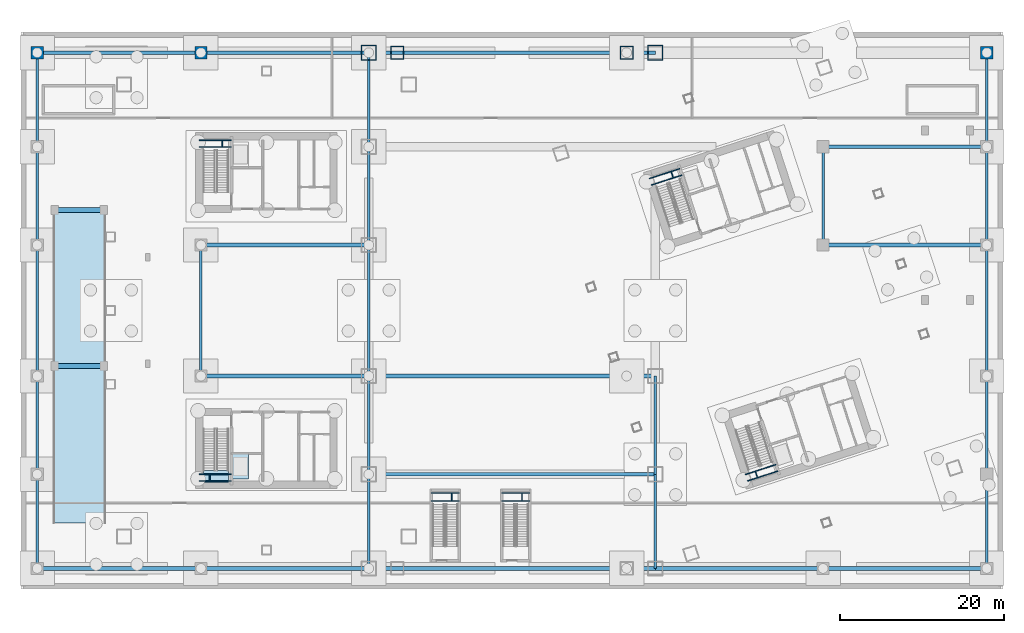
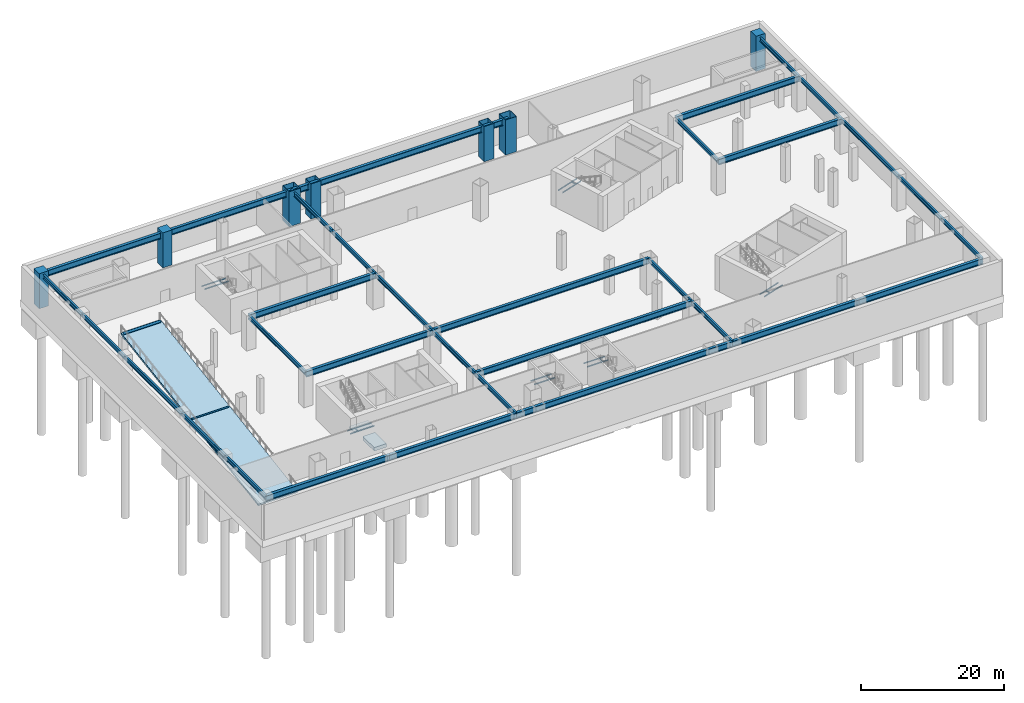
# One storey, part 4 of 20: 53 beams, 7 columns, 3 slabs, 1 element without a shape of its own.
"""IFC4 building model written with IfcOpenShell, lengths in metres."""

from ifc_helpers import new_model, si_unit, direction, frame, origin, origin_2d, place, context, subcontext, project, spatial, polyline, rectangle, hollow_rectangle, i_section, outline, extrude, material, layer, layer_set, material_profile, profile_set, type_object, element, aggregate, save


model = new_model("IFC4")

# Units and contexts
model_context = context("Model", 3, precision=1e-05, world=origin(), true_north=direction((0.0, 1.0)))
body_context = subcontext(model_context, "Body", "Model", "MODEL_VIEW")
ifc_project = project(units=[si_unit("LENGTHUNIT", "METRE"), si_unit("AREAUNIT", "SQUARE_METRE"), si_unit("VOLUMEUNIT", "CUBIC_METRE"), si_unit("PLANEANGLEUNIT", "RADIAN"), si_unit("MASSUNIT", "GRAM", prefix="KILO")], contexts=[model_context])

# Site, building, storey
site_placement = place(None, origin())
site = spatial("IfcSite", under=ifc_project, at=site_placement, CompositionType="ELEMENT")
building_placement = place(site_placement, origin())
building = spatial("IfcBuilding", under=site, at=building_placement, Name="Qiaolan Cultural Towers", CompositionType="ELEMENT")
storey_placement = place(building_placement, frame((0.0, 0.0, -12.0)))
storey = spatial("IfcBuildingStorey", under=building, at=storey_placement, Name="B2", CompositionType="ELEMENT", Elevation=-12.0)

# Columns
ifc_material_1 = material(Name="Steel Q420GJB", Category="steel")
ifc_material_profile_1 = material_profile(ifc_material_1, hollow_rectangle(XDim=1.60009765625, YDim=1.60009765625, WallThickness=0.054931640625, at=origin_2d()), Name="BOX1600x1600x55")
ifc_profile_set_1 = profile_set([ifc_material_profile_1], Name="Steel Q420GJB")
column_type_1 = type_object("IfcColumnType", Name="COL-BOX1600x1600x55", PredefinedType="COLUMN", material=ifc_profile_set_1)
for number, where, z_axis, x_axis, name in (
    (1, (46.0, 65.5, 0.0), (0.0, 0.0, 1.0), (1.0, 0.0, 0.0), "B2 Podium Column PC-MID-46-65"),
    (2, (74.0, 65.5, 0.0), (0.0, 0.0, 1.0), (1.0, 0.0, 0.0), "B2 Podium Column PC-MID-74-65"),
):
    element("IfcColumn", number, at=place(storey_placement, frame(where, z_axis=z_axis, x_axis=x_axis)), inside=storey, type_object=column_type_1, Name=name, PredefinedType="COLUMN", context=body_context, shape_type="SweptSolid", body=[
        extrude(hollow_rectangle(XDim=1.60009765625, YDim=1.60009765625, WallThickness=0.054931640625, at=origin_2d()), origin(), (0.0, 0.0, 1.0), 6.0009765625),
    ])
ifc_material_2 = material(Name="Steel Q420GJB", Category="steel")
ifc_material_profile_2 = material_profile(ifc_material_2, hollow_rectangle(XDim=1.800048828125, YDim=1.800048828125, WallThickness=0.06005859375, at=origin_2d()), Name="BOX1800x1800x60")
ifc_profile_set_2 = profile_set([ifc_material_profile_2], Name="Steel Q420GJB")
column_type_2 = type_object("IfcColumnType", Name="COL-BOX1800x1800x60", PredefinedType="COLUMN", material=ifc_profile_set_2)
for number, where, z_axis, x_axis, name in (
    (3, (42.5, 65.5, 0.0), (0.0, 0.0, 1.0), (1.0, 0.0, 0.0), "B2 Podium Column PC-42-65"),
    (4, (77.5, 65.5, 0.0), (0.0, 0.0, 1.0), (1.0, 0.0, 0.0), "B2 Podium Column PC-77-65"),
):
    element("IfcColumn", number, at=place(storey_placement, frame(where, z_axis=z_axis, x_axis=x_axis)), inside=storey, type_object=column_type_2, Name=name, PredefinedType="COLUMN", context=body_context, shape_type="SweptSolid", body=[
        extrude(hollow_rectangle(XDim=1.800048828125, YDim=1.800048828125, WallThickness=0.06005859375, at=origin_2d()), origin(), (0.0, 0.0, 1.0), 6.0009765625),
    ])
ifc_material_3 = material(Name="Concrete C60", Category="concrete")
ifc_material_profile_3 = material_profile(ifc_material_3, rectangle(XDim=1.5, YDim=1.5, at=origin_2d()), Name="RC1500x1500")
ifc_profile_set_3 = profile_set([ifc_material_profile_3], Name="Concrete C60")
column_type_3 = type_object("IfcColumnType", Name="COL-RC1500x1500", PredefinedType="COLUMN", material=ifc_profile_set_3)
for number, where, z_axis, x_axis, name in (
    (5, (2.0, 65.5, 0.0), (0.0, 0.0, 1.0), (1.0, 0.0, 0.0), "B2 Podium Column PC-2-65"),
    (6, (22.0, 65.5, 0.0), (0.0, 0.0, 1.0), (1.0, 0.0, 0.0), "B2 Podium Column PC-22-65"),
    (7, (118.0, 65.5, 0.0), (0.0, 0.0, 1.0), (1.0, 0.0, 0.0), "B2 Podium Column PC-118-65"),
):
    element("IfcColumn", number, at=place(storey_placement, frame(where, z_axis=z_axis, x_axis=x_axis)), inside=storey, type_object=column_type_3, Name=name, PredefinedType="COLUMN", context=body_context, shape_type="SweptSolid", body=[
        extrude(rectangle(XDim=1.5, YDim=1.5, at=origin_2d()), origin(), (0.0, 0.0, 1.0), 6.0009765625),
    ])

# Beams
ifc_material_4 = material(Name="Steel Q390GJB", Category="steel")
ifc_material_profile_4 = material_profile(ifc_material_4, i_section(OverallWidth=0.449951171875, OverallDepth=1.0, WebThickness=0.02392578125, FlangeThickness=0.0400390625, at=origin_2d()), Name="BH1000x450x24x40")
ifc_profile_set_4 = profile_set([ifc_material_profile_4], Name="Steel Q390GJB")
beam_type_1 = type_object("IfcBeamType", Name="BM-BH1000x450x24x40", PredefinedType="BEAM", material=ifc_profile_set_4)
beam_1_placement = place(storey_placement, frame((2.0, 2.5, 5.14990234375), z_axis=(1.0, 0.0, 0.0), x_axis=(0.0, 1.0, 0.0)))
element("IfcBeam", 8, at=beam_1_placement, inside=storey, type_object=beam_type_1, Name="B2 Podium Primary Girder Y=2.5", PredefinedType="BEAM", context=body_context, shape_type="SweptSolid", body=[
    extrude(i_section(OverallWidth=0.449951171875, OverallDepth=1.0, WebThickness=0.02392578125, FlangeThickness=0.0400390625, at=origin_2d()), origin(), (0.0, 0.0, 1.0), 20.0),
])
beam_2_placement = place(storey_placement, frame((22.0, 2.5, 5.14990234375), z_axis=(1.0, 0.0, 0.0), x_axis=(0.0, 1.0, 0.0)))
element("IfcBeam", 9, at=beam_2_placement, inside=storey, type_object=beam_type_1, Name="B2 Podium Primary Girder Y=2.5", PredefinedType="BEAM", context=body_context, shape_type="SweptSolid", body=[
    extrude(i_section(OverallWidth=0.449951171875, OverallDepth=1.0, WebThickness=0.02392578125, FlangeThickness=0.0400390625, at=origin_2d()), origin(), (0.0, 0.0, 1.0), 20.5),
])
beam_3_placement = place(storey_placement, frame((42.5, 2.5, 5.14990234375), z_axis=(1.0, 0.0, 0.0), x_axis=(0.0, 1.0, 0.0)))
element("IfcBeam", 10, at=beam_3_placement, inside=storey, type_object=beam_type_1, Name="B2 Podium Primary Girder Y=2.5", PredefinedType="BEAM", context=body_context, shape_type="SweptSolid", body=[
    extrude(i_section(OverallWidth=0.449951171875, OverallDepth=1.0, WebThickness=0.02392578125, FlangeThickness=0.0400390625, at=origin_2d()), origin(), (0.0, 0.0, 1.0), 35.0),
])
beam_4_placement = place(storey_placement, frame((77.5, 2.5, 5.14990234375), z_axis=(1.0, 0.0, 0.0), x_axis=(0.0, 1.0, 0.0)))
element("IfcBeam", 11, at=beam_4_placement, inside=storey, type_object=beam_type_1, Name="B2 Podium Primary Girder Y=2.5", PredefinedType="BEAM", context=body_context, shape_type="SweptSolid", body=[
    extrude(i_section(OverallWidth=0.449951171875, OverallDepth=1.0, WebThickness=0.02392578125, FlangeThickness=0.0400390625, at=origin_2d()), origin(), (0.0, 0.0, 1.0), 20.5),
])
beam_5_placement = place(storey_placement, frame((98.0, 2.5, 5.14990234375), z_axis=(1.0, 0.0, 0.0), x_axis=(0.0, 1.0, 0.0)))
element("IfcBeam", 12, at=beam_5_placement, inside=storey, type_object=beam_type_1, Name="B2 Podium Primary Girder Y=2.5", PredefinedType="BEAM", context=body_context, shape_type="SweptSolid", body=[
    extrude(i_section(OverallWidth=0.449951171875, OverallDepth=1.0, WebThickness=0.02392578125, FlangeThickness=0.0400390625, at=origin_2d()), origin(), (0.0, 0.0, 1.0), 20.0),
])
beam_6_placement = place(storey_placement, frame((42.5, 14.0, 5.14990234375), z_axis=(1.0, 0.0, 0.0), x_axis=(0.0, 1.0, 0.0)))
element("IfcBeam", 13, at=beam_6_placement, inside=storey, type_object=beam_type_1, Name="B2 Podium Primary Girder Y=14.0", PredefinedType="BEAM", context=body_context, shape_type="SweptSolid", body=[
    extrude(i_section(OverallWidth=0.449951171875, OverallDepth=1.0, WebThickness=0.02392578125, FlangeThickness=0.0400390625, at=origin_2d()), origin(), (0.0, 0.0, 1.0), 35.0),
])
beam_7_placement = place(storey_placement, frame((22.0, 26.0, 5.14990234375), z_axis=(1.0, 0.0, 0.0), x_axis=(0.0, 1.0, 0.0)))
element("IfcBeam", 14, at=beam_7_placement, inside=storey, type_object=beam_type_1, Name="B2 Podium Primary Girder Y=26.0", PredefinedType="BEAM", context=body_context, shape_type="SweptSolid", body=[
    extrude(i_section(OverallWidth=0.449951171875, OverallDepth=1.0, WebThickness=0.02392578125, FlangeThickness=0.0400390625, at=origin_2d()), origin(), (0.0, 0.0, 1.0), 20.5),
])
beam_8_placement = place(storey_placement, frame((42.5, 26.0, 5.14990234375), z_axis=(1.0, 0.0, 0.0), x_axis=(0.0, 1.0, 0.0)))
element("IfcBeam", 15, at=beam_8_placement, inside=storey, type_object=beam_type_1, Name="B2 Podium Primary Girder Y=26.0", PredefinedType="BEAM", context=body_context, shape_type="SweptSolid", body=[
    extrude(i_section(OverallWidth=0.449951171875, OverallDepth=1.0, WebThickness=0.02392578125, FlangeThickness=0.0400390625, at=origin_2d()), origin(), (0.0, 0.0, 1.0), 35.0),
])
beam_9_placement = place(storey_placement, frame((22.0, 42.0, 5.14990234375), z_axis=(1.0, 0.0, 0.0), x_axis=(0.0, 1.0, 0.0)))
element("IfcBeam", 16, at=beam_9_placement, inside=storey, type_object=beam_type_1, Name="B2 Podium Primary Girder Y=42.0", PredefinedType="BEAM", context=body_context, shape_type="SweptSolid", body=[
    extrude(i_section(OverallWidth=0.449951171875, OverallDepth=1.0, WebThickness=0.02392578125, FlangeThickness=0.0400390625, at=origin_2d()), origin(), (0.0, 0.0, 1.0), 20.5),
])
for number, where, z_axis, x_axis, name in (
    (17, (98.0, 42.0, 5.14990234375), (1.0, 0.0, 0.0), (0.0, 1.0, 0.0), "B2 Podium Primary Girder Y=42.0"),
    (18, (98.0, 54.0, 5.14990234375), (1.0, 0.0, 0.0), (0.0, 1.0, 0.0), "B2 Podium Primary Girder Y=54.0"),
    (19, (2.0, 65.5, 5.14990234375), (1.0, 0.0, 0.0), (0.0, 1.0, 0.0), "B2 Podium Primary Girder Y=65.5"),
):
    element("IfcBeam", number, at=place(storey_placement, frame(where, z_axis=z_axis, x_axis=x_axis)), inside=storey, type_object=beam_type_1, Name=name, PredefinedType="BEAM", context=body_context, shape_type="SweptSolid", body=[
        extrude(i_section(OverallWidth=0.449951171875, OverallDepth=1.0, WebThickness=0.02392578125, FlangeThickness=0.0400390625, at=origin_2d()), origin(), (0.0, 0.0, 1.0), 20.0),
    ])
beam_10_placement = place(storey_placement, frame((22.0, 65.5, 5.14990234375), z_axis=(1.0, 0.0, 0.0), x_axis=(0.0, 1.0, 0.0)))
element("IfcBeam", 20, at=beam_10_placement, inside=storey, type_object=beam_type_1, Name="B2 Podium Primary Girder Y=65.5", PredefinedType="BEAM", context=body_context, shape_type="SweptSolid", body=[
    extrude(i_section(OverallWidth=0.449951171875, OverallDepth=1.0, WebThickness=0.02392578125, FlangeThickness=0.0400390625, at=origin_2d()), origin(), (0.0, 0.0, 1.0), 20.5),
])
beam_11_placement = place(storey_placement, frame((42.5, 65.5, 5.14990234375), z_axis=(1.0, 0.0, 0.0), x_axis=(0.0, 1.0, 0.0)))
element("IfcBeam", 21, at=beam_11_placement, inside=storey, type_object=beam_type_1, Name="B2 Podium Primary Girder Y=65.5", PredefinedType="BEAM", context=body_context, shape_type="SweptSolid", body=[
    extrude(i_section(OverallWidth=0.449951171875, OverallDepth=1.0, WebThickness=0.02392578125, FlangeThickness=0.0400390625, at=origin_2d()), origin(), (0.0, 0.0, 1.0), 35.0),
])
ifc_material_5 = material(Name="Steel Q355B", Category="steel")
ifc_material_profile_5 = material_profile(ifc_material_5, i_section(OverallWidth=0.300048828125, OverallDepth=0.699951171875, WebThickness=0.012939453125, FlangeThickness=0.02392578125, at=origin_2d()), Name="HN700x300x13x24")
ifc_profile_set_5 = profile_set([ifc_material_profile_5], Name="Steel Q355B")
beam_type_2 = type_object("IfcBeamType", Name="BM-HN700x300x13x24", PredefinedType="BEAM", material=ifc_profile_set_5)
beam_12_placement = place(storey_placement, frame((2.0, 2.5, 5.300048828125), z_axis=(0.0, 1.0, 0.0), x_axis=(-1.0, 0.0, 0.0)))
element("IfcBeam", 22, at=beam_12_placement, inside=storey, type_object=beam_type_2, Name="B2 Podium Transverse Beam X=2.0", PredefinedType="BEAM", context=body_context, shape_type="SweptSolid", body=[
    extrude(i_section(OverallWidth=0.300048828125, OverallDepth=0.699951171875, WebThickness=0.012939453125, FlangeThickness=0.02392578125, at=origin_2d()), origin(), (0.0, 0.0, 1.0), 11.5),
])
beam_13_placement = place(storey_placement, frame((2.0, 14.0, 5.300048828125), z_axis=(0.0, 1.0, 0.0), x_axis=(-1.0, 0.0, 0.0)))
element("IfcBeam", 23, at=beam_13_placement, inside=storey, type_object=beam_type_2, Name="B2 Podium Transverse Beam X=2.0", PredefinedType="BEAM", context=body_context, shape_type="SweptSolid", body=[
    extrude(i_section(OverallWidth=0.300048828125, OverallDepth=0.699951171875, WebThickness=0.012939453125, FlangeThickness=0.02392578125, at=origin_2d()), origin(), (0.0, 0.0, 1.0), 12.0),
])
beam_14_placement = place(storey_placement, frame((2.0, 26.0, 5.300048828125), z_axis=(0.0, 1.0, 0.0), x_axis=(-1.0, 0.0, 0.0)))
element("IfcBeam", 24, at=beam_14_placement, inside=storey, type_object=beam_type_2, Name="B2 Podium Transverse Beam X=2.0", PredefinedType="BEAM", context=body_context, shape_type="SweptSolid", body=[
    extrude(i_section(OverallWidth=0.300048828125, OverallDepth=0.699951171875, WebThickness=0.012939453125, FlangeThickness=0.02392578125, at=origin_2d()), origin(), (0.0, 0.0, 1.0), 16.0),
])
beam_15_placement = place(storey_placement, frame((2.0, 42.0, 5.300048828125), z_axis=(0.0, 1.0, 0.0), x_axis=(-1.0, 0.0, 0.0)))
element("IfcBeam", 25, at=beam_15_placement, inside=storey, type_object=beam_type_2, Name="B2 Podium Transverse Beam X=2.0", PredefinedType="BEAM", context=body_context, shape_type="SweptSolid", body=[
    extrude(i_section(OverallWidth=0.300048828125, OverallDepth=0.699951171875, WebThickness=0.012939453125, FlangeThickness=0.02392578125, at=origin_2d()), origin(), (0.0, 0.0, 1.0), 12.0),
])
beam_16_placement = place(storey_placement, frame((2.0, 54.0, 5.300048828125), z_axis=(0.0, 1.0, 0.0), x_axis=(-1.0, 0.0, 0.0)))
element("IfcBeam", 26, at=beam_16_placement, inside=storey, type_object=beam_type_2, Name="B2 Podium Transverse Beam X=2.0", PredefinedType="BEAM", context=body_context, shape_type="SweptSolid", body=[
    extrude(i_section(OverallWidth=0.300048828125, OverallDepth=0.699951171875, WebThickness=0.012939453125, FlangeThickness=0.02392578125, at=origin_2d()), origin(), (0.0, 0.0, 1.0), 11.5),
])
beam_17_placement = place(storey_placement, frame((22.0, 26.0, 5.300048828125), z_axis=(0.0, 1.0, 0.0), x_axis=(-1.0, 0.0, 0.0)))
element("IfcBeam", 27, at=beam_17_placement, inside=storey, type_object=beam_type_2, Name="B2 Podium Transverse Beam X=22.0", PredefinedType="BEAM", context=body_context, shape_type="SweptSolid", body=[
    extrude(i_section(OverallWidth=0.300048828125, OverallDepth=0.699951171875, WebThickness=0.012939453125, FlangeThickness=0.02392578125, at=origin_2d()), origin(), (0.0, 0.0, 1.0), 16.0),
])
beam_18_placement = place(storey_placement, frame((42.5, 2.5, 5.300048828125), z_axis=(0.0, 1.0, 0.0), x_axis=(-1.0, 0.0, 0.0)))
element("IfcBeam", 28, at=beam_18_placement, inside=storey, type_object=beam_type_2, Name="B2 Podium Transverse Beam X=42.5", PredefinedType="BEAM", context=body_context, shape_type="SweptSolid", body=[
    extrude(i_section(OverallWidth=0.300048828125, OverallDepth=0.699951171875, WebThickness=0.012939453125, FlangeThickness=0.02392578125, at=origin_2d()), origin(), (0.0, 0.0, 1.0), 11.5),
])
beam_19_placement = place(storey_placement, frame((42.5, 14.0, 5.300048828125), z_axis=(0.0, 1.0, 0.0), x_axis=(-1.0, 0.0, 0.0)))
element("IfcBeam", 29, at=beam_19_placement, inside=storey, type_object=beam_type_2, Name="B2 Podium Transverse Beam X=42.5", PredefinedType="BEAM", context=body_context, shape_type="SweptSolid", body=[
    extrude(i_section(OverallWidth=0.300048828125, OverallDepth=0.699951171875, WebThickness=0.012939453125, FlangeThickness=0.02392578125, at=origin_2d()), origin(), (0.0, 0.0, 1.0), 12.0),
])
beam_20_placement = place(storey_placement, frame((42.5, 26.0, 5.300048828125), z_axis=(0.0, 1.0, 0.0), x_axis=(-1.0, 0.0, 0.0)))
element("IfcBeam", 30, at=beam_20_placement, inside=storey, type_object=beam_type_2, Name="B2 Podium Transverse Beam X=42.5", PredefinedType="BEAM", context=body_context, shape_type="SweptSolid", body=[
    extrude(i_section(OverallWidth=0.300048828125, OverallDepth=0.699951171875, WebThickness=0.012939453125, FlangeThickness=0.02392578125, at=origin_2d()), origin(), (0.0, 0.0, 1.0), 16.0),
])
beam_21_placement = place(storey_placement, frame((42.5, 42.0, 5.300048828125), z_axis=(0.0, 1.0, 0.0), x_axis=(-1.0, 0.0, 0.0)))
element("IfcBeam", 31, at=beam_21_placement, inside=storey, type_object=beam_type_2, Name="B2 Podium Transverse Beam X=42.5", PredefinedType="BEAM", context=body_context, shape_type="SweptSolid", body=[
    extrude(i_section(OverallWidth=0.300048828125, OverallDepth=0.699951171875, WebThickness=0.012939453125, FlangeThickness=0.02392578125, at=origin_2d()), origin(), (0.0, 0.0, 1.0), 12.0),
])
for number, where, z_axis, x_axis, name in (
    (32, (42.5, 54.0, 5.300048828125), (0.0, 1.0, 0.0), (-1.0, 0.0, 0.0), "B2 Podium Transverse Beam X=42.5"),
    (33, (77.5, 2.5, 5.300048828125), (0.0, 1.0, 0.0), (-1.0, 0.0, 0.0), "B2 Podium Transverse Beam X=77.5"),
):
    element("IfcBeam", number, at=place(storey_placement, frame(where, z_axis=z_axis, x_axis=x_axis)), inside=storey, type_object=beam_type_2, Name=name, PredefinedType="BEAM", context=body_context, shape_type="SweptSolid", body=[
        extrude(i_section(OverallWidth=0.300048828125, OverallDepth=0.699951171875, WebThickness=0.012939453125, FlangeThickness=0.02392578125, at=origin_2d()), origin(), (0.0, 0.0, 1.0), 11.5),
    ])
for number, where, z_axis, x_axis, name in (
    (34, (77.5, 14.0, 5.300048828125), (0.0, 1.0, 0.0), (-1.0, 0.0, 0.0), "B2 Podium Transverse Beam X=77.5"),
    (35, (98.0, 42.0, 5.300048828125), (0.0, 1.0, 0.0), (-1.0, 0.0, 0.0), "B2 Podium Transverse Beam X=98.0"),
):
    element("IfcBeam", number, at=place(storey_placement, frame(where, z_axis=z_axis, x_axis=x_axis)), inside=storey, type_object=beam_type_2, Name=name, PredefinedType="BEAM", context=body_context, shape_type="SweptSolid", body=[
        extrude(i_section(OverallWidth=0.300048828125, OverallDepth=0.699951171875, WebThickness=0.012939453125, FlangeThickness=0.02392578125, at=origin_2d()), origin(), (0.0, 0.0, 1.0), 12.0),
    ])
beam_22_placement = place(storey_placement, frame((118.0, 2.5, 5.300048828125), z_axis=(0.0, 1.0, 0.0), x_axis=(-1.0, 0.0, 0.0)))
element("IfcBeam", 36, at=beam_22_placement, inside=storey, type_object=beam_type_2, Name="B2 Podium Transverse Beam X=118.0", PredefinedType="BEAM", context=body_context, shape_type="SweptSolid", body=[
    extrude(i_section(OverallWidth=0.300048828125, OverallDepth=0.699951171875, WebThickness=0.012939453125, FlangeThickness=0.02392578125, at=origin_2d()), origin(), (0.0, 0.0, 1.0), 11.5),
])
beam_23_placement = place(storey_placement, frame((118.0, 14.0, 5.300048828125), z_axis=(0.0, 1.0, 0.0), x_axis=(-1.0, 0.0, 0.0)))
element("IfcBeam", 37, at=beam_23_placement, inside=storey, type_object=beam_type_2, Name="B2 Podium Transverse Beam X=118.0", PredefinedType="BEAM", context=body_context, shape_type="SweptSolid", body=[
    extrude(i_section(OverallWidth=0.300048828125, OverallDepth=0.699951171875, WebThickness=0.012939453125, FlangeThickness=0.02392578125, at=origin_2d()), origin(), (0.0, 0.0, 1.0), 12.0),
])
beam_24_placement = place(storey_placement, frame((118.0, 26.0, 5.300048828125), z_axis=(0.0, 1.0, 0.0), x_axis=(-1.0, 0.0, 0.0)))
element("IfcBeam", 38, at=beam_24_placement, inside=storey, type_object=beam_type_2, Name="B2 Podium Transverse Beam X=118.0", PredefinedType="BEAM", context=body_context, shape_type="SweptSolid", body=[
    extrude(i_section(OverallWidth=0.300048828125, OverallDepth=0.699951171875, WebThickness=0.012939453125, FlangeThickness=0.02392578125, at=origin_2d()), origin(), (0.0, 0.0, 1.0), 16.0),
])
beam_25_placement = place(storey_placement, frame((118.0, 42.0, 5.300048828125), z_axis=(0.0, 1.0, 0.0), x_axis=(-1.0, 0.0, 0.0)))
element("IfcBeam", 39, at=beam_25_placement, inside=storey, type_object=beam_type_2, Name="B2 Podium Transverse Beam X=118.0", PredefinedType="BEAM", context=body_context, shape_type="SweptSolid", body=[
    extrude(i_section(OverallWidth=0.300048828125, OverallDepth=0.699951171875, WebThickness=0.012939453125, FlangeThickness=0.02392578125, at=origin_2d()), origin(), (0.0, 0.0, 1.0), 12.0),
])
beam_26_placement = place(storey_placement, frame((118.0, 54.0, 5.300048828125), z_axis=(0.0, 1.0, 0.0), x_axis=(-1.0, 0.0, 0.0)))
element("IfcBeam", 40, at=beam_26_placement, inside=storey, type_object=beam_type_2, Name="B2 Podium Transverse Beam X=118.0", PredefinedType="BEAM", context=body_context, shape_type="SweptSolid", body=[
    extrude(i_section(OverallWidth=0.300048828125, OverallDepth=0.699951171875, WebThickness=0.012939453125, FlangeThickness=0.02392578125, at=origin_2d()), origin(), (0.0, 0.0, 1.0), 11.5),
])
ifc_material_6 = material(Name="Concrete C50", Category="concrete")
ifc_material_profile_6 = material_profile(ifc_material_6, rectangle(XDim=0.60009765625, YDim=0.949951171875, at=origin_2d()), Name="RC600x950")
ifc_profile_set_6 = profile_set([ifc_material_profile_6], Name="Concrete C50")
beam_type_3 = type_object("IfcBeamType", Name="BM-SPD-RC600x950", PredefinedType="SPANDREL", material=ifc_profile_set_6)
for number, where, z_axis, x_axis, name in (
    (41, (4.14990234375, 27.25, 2.52001953125), (1.0, 0.0, 0.0), (0.0, 1.0, 0.0), "B2 Vehicle Ramp Mid-Span Support Beam"),
    (42, (4.14990234375, 46.300048828125, 5.52001953125), (1.0, 0.0, 0.0), (0.0, 1.0, 0.0), "B2 Vehicle Ramp Top Landing Support Beam"),
):
    element("IfcBeam", number, at=place(storey_placement, frame(where, z_axis=z_axis, x_axis=x_axis)), inside=storey, type_object=beam_type_3, Name=name, PredefinedType="SPANDREL", context=body_context, shape_type="SweptSolid", body=[
        extrude(rectangle(XDim=0.60009765625, YDim=0.949951171875, at=origin_2d()), origin(), (0.0, 0.0, 1.0), 6.0),
    ])
ifc_material_7 = material(Name="Steel Q355B", Category="steel")
ifc_material_profile_7 = material_profile(ifc_material_7, i_section(OverallWidth=0.10009765625, OverallDepth=0.199951171875, WebThickness=0.005615234375, FlangeThickness=0.008056640625, at=origin_2d()), Name="HN200x100x5.5x8")
ifc_profile_set_7 = profile_set([ifc_material_profile_7], Name="Steel Q355B")
beam_type_4 = type_object("IfcBeamType", Name="BM-STTRIM-200", PredefinedType="BEAM", material=ifc_profile_set_7)
for number, where, z_axis, x_axis, name in (
    (43, (21.800048828125, 14.01123046875, 2.699951171875), (1.0, 0.0, 0.0), (0.0, 1.0, 0.0), "B2 ST-W1 Stair Landing Support Beam 1-1"),
    (44, (21.800048828125, 13.179931640625, 2.699951171875), (1.0, 0.0, 0.0), (0.0, 1.0, 0.0), "B2 ST-W1 Stair Landing Support Beam 1-2"),
):
    element("IfcBeam", number, at=place(storey_placement, frame(where, z_axis=z_axis, x_axis=x_axis)), inside=storey, type_object=beam_type_4, Name=name, PredefinedType="BEAM", context=body_context, shape_type="SweptSolid", body=[
        extrude(i_section(OverallWidth=0.10009765625, OverallDepth=0.199951171875, WebThickness=0.005615234375, FlangeThickness=0.008056640625, at=origin_2d()), origin(), (0.0, 0.0, 1.0), 3.919921875),
    ])
beam_27_placement = place(storey_placement, frame((23.070068359375, 14.01123046875, 2.699951171875), z_axis=(0.0, -1.0, 0.0), x_axis=(1.0, 0.0, 0.0)))
element("IfcBeam", 45, at=beam_27_placement, inside=storey, type_object=beam_type_4, Name="B2 ST-W1 Stair Landing Trimmer 1", PredefinedType="BEAM", context=body_context, shape_type="SweptSolid", body=[
    extrude(i_section(OverallWidth=0.10009765625, OverallDepth=0.199951171875, WebThickness=0.005615234375, FlangeThickness=0.008056640625, at=origin_2d()), origin(), (0.0, 0.0, 1.0), 0.831298828125),
])
for number, where, z_axis, x_axis, name in (
    (46, (21.800048828125, 53.98876953125, 2.699951171875), (1.0, 0.0, 0.0), (0.0, 1.0, 0.0), "B2 ST-W2 Stair Landing Support Beam 1-1"),
    (47, (21.800048828125, 54.820068359375, 2.699951171875), (1.0, 0.0, 0.0), (0.0, 1.0, 0.0), "B2 ST-W2 Stair Landing Support Beam 1-2"),
):
    element("IfcBeam", number, at=place(storey_placement, frame(where, z_axis=z_axis, x_axis=x_axis)), inside=storey, type_object=beam_type_4, Name=name, PredefinedType="BEAM", context=body_context, shape_type="SweptSolid", body=[
        extrude(i_section(OverallWidth=0.10009765625, OverallDepth=0.199951171875, WebThickness=0.005615234375, FlangeThickness=0.008056640625, at=origin_2d()), origin(), (0.0, 0.0, 1.0), 3.919921875),
    ])
beam_28_placement = place(storey_placement, frame((24.610107421875, 53.98876953125, 2.699951171875), z_axis=(0.0, 1.0, 0.0), x_axis=(-1.0, 0.0, 0.0)))
element("IfcBeam", 48, at=beam_28_placement, inside=storey, type_object=beam_type_4, Name="B2 ST-W2 Stair Landing Trimmer 1", PredefinedType="BEAM", context=body_context, shape_type="SweptSolid", body=[
    extrude(i_section(OverallWidth=0.10009765625, OverallDepth=0.199951171875, WebThickness=0.005615234375, FlangeThickness=0.008056640625, at=origin_2d()), origin(), (0.0, 0.0, 1.0), 0.831298828125),
])
beam_29_placement = place(storey_placement, frame((88.51611328125, 13.97265625, 2.699951171875), z_axis=(0.951072048947, 0.3089691857, 0.0), x_axis=(-0.3089691857, 0.951072048947, 0.0)))
element("IfcBeam", 49, at=beam_29_placement, inside=storey, type_object=beam_type_4, Name="B2 ST-E1 Stair Landing Support Beam 1-1", PredefinedType="BEAM", context=body_context, shape_type="SweptSolid", body=[
    extrude(i_section(OverallWidth=0.10009765625, OverallDepth=0.199951171875, WebThickness=0.005615234375, FlangeThickness=0.008056640625, at=origin_2d()), origin(), (0.0, 0.0, 1.0), 3.920166015625),
])
beam_30_placement = place(storey_placement, frame((88.773193359375, 13.181884765625, 2.699951171875), z_axis=(0.951047798727, 0.309043823005, 0.0), x_axis=(-0.309043823005, 0.951047798727, 0.0)))
element("IfcBeam", 50, at=beam_30_placement, inside=storey, type_object=beam_type_4, Name="B2 ST-E1 Stair Landing Support Beam 1-2", PredefinedType="BEAM", context=body_context, shape_type="SweptSolid", body=[
    extrude(i_section(OverallWidth=0.10009765625, OverallDepth=0.199951171875, WebThickness=0.005615234375, FlangeThickness=0.008056640625, at=origin_2d()), origin(), (0.0, 0.0, 1.0), 3.919921875),
])
beam_31_placement = place(storey_placement, frame((89.72412109375, 14.364990234375, 2.699951171875), z_axis=(0.308993090072, -0.951064282942, 0.0), x_axis=(0.951064282942, 0.308993090072, 0.0)))
element("IfcBeam", 51, at=beam_31_placement, inside=storey, type_object=beam_type_4, Name="B2 ST-E1 Stair Landing Trimmer 1", PredefinedType="BEAM", context=body_context, shape_type="SweptSolid", body=[
    extrude(i_section(OverallWidth=0.10009765625, OverallDepth=0.199951171875, WebThickness=0.005615234375, FlangeThickness=0.008056640625, at=origin_2d()), origin(), (0.0, 0.0, 1.0), 0.831298828125),
])
beam_32_placement = place(storey_placement, frame((77.02783203125, 49.330322265625, 2.699951171875), z_axis=(0.951047798727, 0.309043823005, 0.0), x_axis=(-0.309043823005, 0.951047798727, 0.0)))
element("IfcBeam", 52, at=beam_32_placement, inside=storey, type_object=beam_type_4, Name="B2 ST-E2 Stair Landing Support Beam 1-1", PredefinedType="BEAM", context=body_context, shape_type="SweptSolid", body=[
    extrude(i_section(OverallWidth=0.10009765625, OverallDepth=0.199951171875, WebThickness=0.005615234375, FlangeThickness=0.008056640625, at=origin_2d()), origin(), (0.0, 0.0, 1.0), 3.919921875),
])
beam_33_placement = place(storey_placement, frame((76.770751953125, 50.12109375, 2.699951171875), z_axis=(0.951072048947, 0.3089691857, 0.0), x_axis=(-0.3089691857, 0.951072048947, 0.0)))
element("IfcBeam", 53, at=beam_33_placement, inside=storey, type_object=beam_type_4, Name="B2 ST-E2 Stair Landing Support Beam 1-2", PredefinedType="BEAM", context=body_context, shape_type="SweptSolid", body=[
    extrude(i_section(OverallWidth=0.10009765625, OverallDepth=0.199951171875, WebThickness=0.005615234375, FlangeThickness=0.008056640625, at=origin_2d()), origin(), (0.0, 0.0, 1.0), 3.920166015625),
])
beam_34_placement = place(storey_placement, frame((79.7001953125, 50.19873046875, 2.699951171875), z_axis=(-0.308993090072, 0.951064282942, 0.0), x_axis=(-0.951064282942, -0.308993090072, 0.0)))
element("IfcBeam", 54, at=beam_34_placement, inside=storey, type_object=beam_type_4, Name="B2 ST-E2 Stair Landing Trimmer 1", PredefinedType="BEAM", context=body_context, shape_type="SweptSolid", body=[
    extrude(i_section(OverallWidth=0.10009765625, OverallDepth=0.199951171875, WebThickness=0.005615234375, FlangeThickness=0.008056640625, at=origin_2d()), origin(), (0.0, 0.0, 1.0), 0.831298828125),
])
for number, where, z_axis, x_axis, name in (
    (55, (53.550048828125, 10.73876953125, 2.699951171875), (-1.0, 0.0, 0.0), (0.0, -1.0, 0.0), "B2 ST-M1 Stair Landing Support Beam 1-1"),
    (56, (53.550048828125, 11.719970703125, 2.699951171875), (-1.0, 0.0, 0.0), (0.0, -1.0, 0.0), "B2 ST-M1 Stair Landing Support Beam 1-2"),
):
    element("IfcBeam", number, at=place(storey_placement, frame(where, z_axis=z_axis, x_axis=x_axis)), inside=storey, type_object=beam_type_4, Name=name, PredefinedType="BEAM", context=body_context, shape_type="SweptSolid", body=[
        extrude(i_section(OverallWidth=0.10009765625, OverallDepth=0.199951171875, WebThickness=0.005615234375, FlangeThickness=0.008056640625, at=origin_2d()), origin(), (0.0, 0.0, 1.0), 3.400146484375),
    ])
beam_35_placement = place(storey_placement, frame((52.625, 10.73876953125, 2.699951171875), z_axis=(0.0, 1.0, 0.0), x_axis=(-1.0, 0.0, 0.0)))
element("IfcBeam", 57, at=beam_35_placement, inside=storey, type_object=beam_type_4, Name="B2 ST-M1 Stair Landing Trimmer 1", PredefinedType="BEAM", context=body_context, shape_type="SweptSolid", body=[
    extrude(i_section(OverallWidth=0.10009765625, OverallDepth=0.199951171875, WebThickness=0.005615234375, FlangeThickness=0.008056640625, at=origin_2d()), origin(), (0.0, 0.0, 1.0), 0.981201171875),
])
for number, where, z_axis, x_axis, name in (
    (58, (62.14990234375, 10.73876953125, 2.699951171875), (-1.0, 0.0, 0.0), (0.0, -1.0, 0.0), "B2 ST-M2 Stair Landing Support Beam 1-1"),
    (59, (62.14990234375, 11.719970703125, 2.699951171875), (-1.0, 0.0, 0.0), (0.0, -1.0, 0.0), "B2 ST-M2 Stair Landing Support Beam 1-2"),
):
    element("IfcBeam", number, at=place(storey_placement, frame(where, z_axis=z_axis, x_axis=x_axis)), inside=storey, type_object=beam_type_4, Name=name, PredefinedType="BEAM", context=body_context, shape_type="SweptSolid", body=[
        extrude(i_section(OverallWidth=0.10009765625, OverallDepth=0.199951171875, WebThickness=0.005615234375, FlangeThickness=0.008056640625, at=origin_2d()), origin(), (0.0, 0.0, 1.0), 3.39990234375),
    ])
beam_36_placement = place(storey_placement, frame((61.22509765625, 10.73876953125, 2.699951171875), z_axis=(0.0, 1.0, 0.0), x_axis=(-1.0, 0.0, 0.0)))
element("IfcBeam", 60, at=beam_36_placement, inside=storey, type_object=beam_type_4, Name="B2 ST-M2 Stair Landing Trimmer 1", PredefinedType="BEAM", context=body_context, shape_type="SweptSolid", body=[
    extrude(i_section(OverallWidth=0.10009765625, OverallDepth=0.199951171875, WebThickness=0.005615234375, FlangeThickness=0.008056640625, at=origin_2d()), origin(), (0.0, 0.0, 1.0), 0.981201171875),
])

# Slab
ifc_material_8 = material(Name="Concrete C45", Category="concrete")
ifc_layer_1 = layer(ifc_material_8, 0.60009765625)
ifc_layer_set_1 = layer_set([ifc_layer_1], Name="Concrete C45")
slab_type_1 = type_object("IfcSlabType", Name="SL-PIT-600", PredefinedType="BASESLAB", material=ifc_layer_set_1)
slab_1_placement = place(storey_placement, frame((0.0, 0.0, -1.800048828125)))
element("IfcSlab", 61, at=slab_1_placement, inside=storey, type_object=slab_type_1, Name="Firefighting Lift Pit Base Pad FFL-W1", PredefinedType="BASESLAB", context=body_context, shape_type="SweptSolid", body=[
    extrude(outline(polyline([(25.800048828125, 13.39990234375), (27.800048828125, 13.39990234375), (27.800048828125, 16.60009765625), (25.800048828125, 16.60009765625), (25.800048828125, 13.39990234375)])), origin(), (0.0, 0.0, 1.0), 0.60009765625),
])

# Stair, slab
ifc_material_9 = material(Name="Concrete C45", Category="concrete")
stair_type = type_object("IfcStairType", Name="STR-CORE-1500", PredefinedType="HALF_TURN_STAIR", material=ifc_material_9)
stair_placement = place(storey_placement, origin())
stair = element("IfcStair", 62, at=stair_placement, inside=storey, type_object=stair_type, Name="B2 Smokeproof Exit Stair ST-W1", PredefinedType="HALF_TURN_STAIR")
ifc_material_10 = material(Name="Concrete C45", Category="concrete")
ifc_layer_2 = layer(ifc_material_10, 0.199951171875)
ifc_layer_set_2 = layer_set([ifc_layer_2], Name="Concrete C45")
slab_type_2 = type_object("IfcSlabType", Name="SL-STAIR-LAND", PredefinedType="LANDING", material=ifc_layer_set_2)
slab_2_placement = place(storey_placement, frame((0.0, 0.0, 2.800048828125)))
slab_2 = element("IfcSlab", 63, at=slab_2_placement, type_object=slab_type_2, Name="ST-W1 landing 1", PredefinedType="LANDING", context=body_context, shape_type="SweptSolid", body=[
    extrude(outline(polyline([(22.300048828125, 14.451416015625), (22.300048828125, 13.0), (25.3798828125, 13.0), (25.3798828125, 14.451416015625), (22.300048828125, 14.451416015625)])), origin(), (0.0, 0.0, 1.0), 0.199951171875),
])
aggregate(stair, [slab_2])

# Slab
ifc_material_11 = material(Name="Concrete C45", Category="concrete")
ifc_layer_3 = layer(ifc_material_11, 0.300048828125)
ifc_layer_set_3 = layer_set([ifc_layer_3], Name="Concrete C45")
slab_type_3 = type_object("IfcSlabType", Name="SL-VRAMP-300", PredefinedType="USERDEFINED", material=ifc_layer_set_3)
slab_3_placement = place(storey_placement, frame((3.949951171875, 8.050048828125, 0.0), z_axis=(0.0, -0.154181096462, 0.9880426051), x_axis=(1.0, 0.0, 0.0)))
element("IfcSlab", 64, at=slab_3_placement, inside=storey, type_object=slab_type_3, Name="B2-B1 Structural Vehicle Ramp Slab VR-01 (Concrete C45)", ObjectType="VEHICLE_RAMP", PredefinedType="USERDEFINED", context=body_context, shape_type="SweptSolid", body=[
    extrude(outline(polyline([(0.0, 0.0), (6.400146484375, 0.0), (6.400146484375, 38.91527650061826), (0.0, 38.91527650061826), (0.0, 0.0)])), origin(), (0.0, 0.0, -1.0), 0.300048828125),
])

save(model, "model.ifc")
